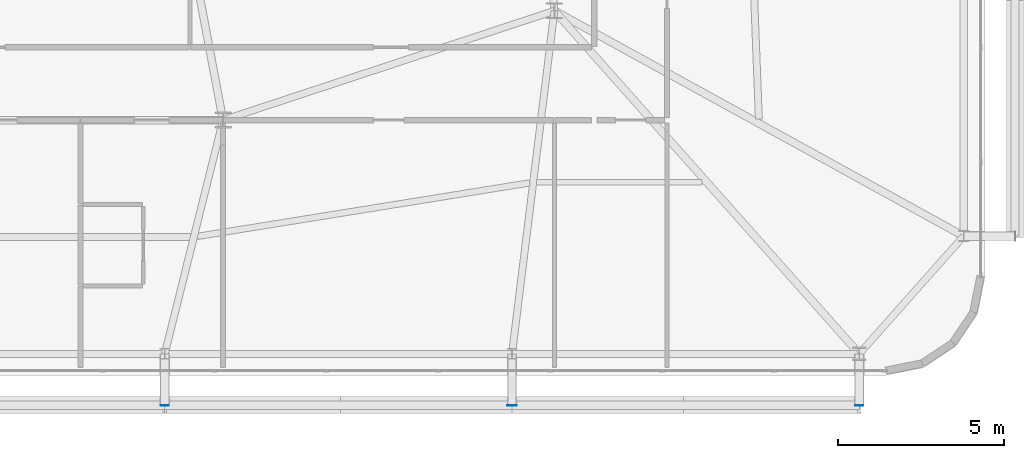
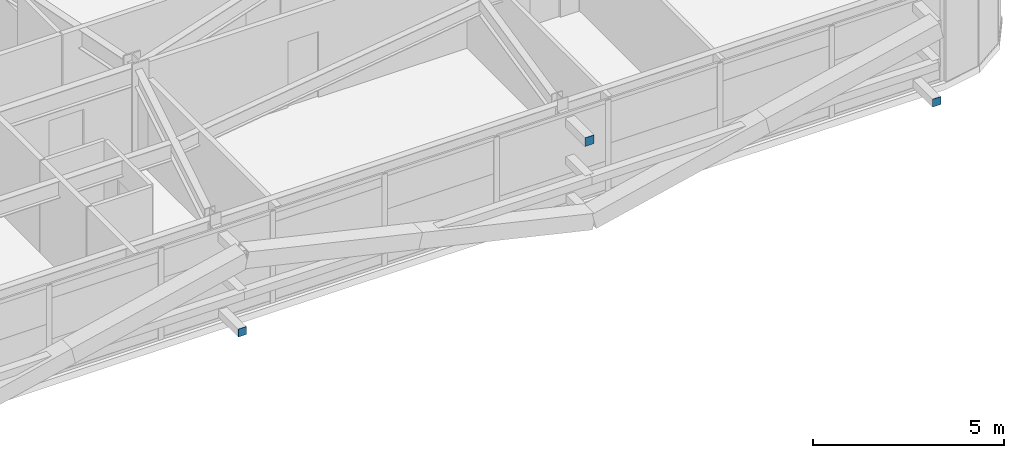
# One storey, part 47 of 59: 3 plates.
"""IFC4 building model written with IfcOpenShell, lengths in metres."""

from ifc_helpers import new_model, si_unit, direction, frame, origin, origin_2d, place, context, subcontext, project, spatial, rectangle, extrude, source, transform, mapped, material, layer, layer_set, type_object, element, save


model = new_model("IFC4")

# Units and contexts
model_context = context("Model", 3, precision=1e-05, world=origin(), true_north=direction((0.0, 1.0)))
body_context = subcontext(model_context, "Body", "Model", "MODEL_VIEW")
ifc_project = project(units=[si_unit("LENGTHUNIT", "METRE"), si_unit("AREAUNIT", "SQUARE_METRE"), si_unit("VOLUMEUNIT", "CUBIC_METRE"), si_unit("PLANEANGLEUNIT", "RADIAN"), si_unit("MASSUNIT", "GRAM", prefix="KILO")], contexts=[model_context])

# Site, building, storey
site_placement = place(None, origin())
site = spatial("IfcSite", under=ifc_project, at=site_placement, CompositionType="ELEMENT")
building_placement = place(site_placement, origin())
building = spatial("IfcBuilding", under=site, at=building_placement, Name="Taldren Reach Tower", CompositionType="ELEMENT")
storey_placement = place(building_placement, frame((0.0, 0.0, 48.300048828125)))
storey = spatial("IfcBuildingStorey", under=building, at=storey_placement, Name="L14", CompositionType="ELEMENT", Elevation=48.300048828125)

# Plates
ifc_material_1 = material(Name="Steel Gr 450 (C450L0)", Category="steel")
ifc_layer_1 = layer(ifc_material_1, 0.011962890625)
ifc_layer_set_1 = layer_set([ifc_layer_1], Name="Steel Gr 450 (C450L0)")
plate_type_1 = type_object("IfcPlateType", Name="PL-CAP-275", PredefinedType="SHEET", material=ifc_layer_set_1)
shared_shape_1 = source(origin(), body_context, "Body", "SweptSolid", [
    extrude(rectangle(XDim=0.27490234375, YDim=0.011962890625, at=origin_2d()), origin(), (0.0, 0.0, 1.0), 0.27490234375),
])
plate_placement = place(storey_placement, frame((50.719970703125, 0.593994140625, 2.512451171875), z_axis=(0.0, 0.0, 1.0), x_axis=(1.0, 0.0, 0.0)))
element("IfcPlate", 1, at=plate_placement, inside=storey, type_object=plate_type_1, Name="Tie strut end cap plate B1-S5 L14", PredefinedType="SHEET", context=body_context, shape_type="MappedRepresentation", body=[
    mapped(shared_shape_1, transform((0.0, 0.0, 0.0), scale=1.0)),
])
ifc_material_2 = material(Name="Steel Gr 350 (C350L0)", Category="steel")
ifc_layer_2 = layer(ifc_material_2, 0.011962890625)
ifc_layer_set_2 = layer_set([ifc_layer_2], Name="Steel Gr 350 (C350L0)")
plate_type_2 = type_object("IfcPlateType", Name="PL-CAP-250", PredefinedType="SHEET", material=ifc_layer_set_2)
shared_shape_2 = source(origin(), body_context, "Body", "SweptSolid", [
    extrude(rectangle(XDim=0.25, YDim=0.011962890625, at=origin_2d()), origin(), (0.0, 0.0, 1.0), 0.25),
])
for number, where, z_axis, x_axis, name in (
    (2, (40.239990234375, 0.593994140625, 0.094970703125), (0.0, 0.0, 1.0), (1.0, 0.0, 0.0), "Tie strut end cap plate B1-S4 L14"),
    (3, (61.199951171875, 0.593994140625, 0.094970703125), (0.0, 0.0, 1.0), (1.0, 0.0, 0.0), "Tie strut end cap plate B1-S6 L14"),
):
    element("IfcPlate", number, at=place(storey_placement, frame(where, z_axis=z_axis, x_axis=x_axis)), inside=storey, type_object=plate_type_2, Name=name, PredefinedType="SHEET", context=body_context, shape_type="MappedRepresentation", body=[
        mapped(shared_shape_2, transform((0.0, 0.0, 0.0), scale=1.0)),
    ])

save(model, "model.ifc")
